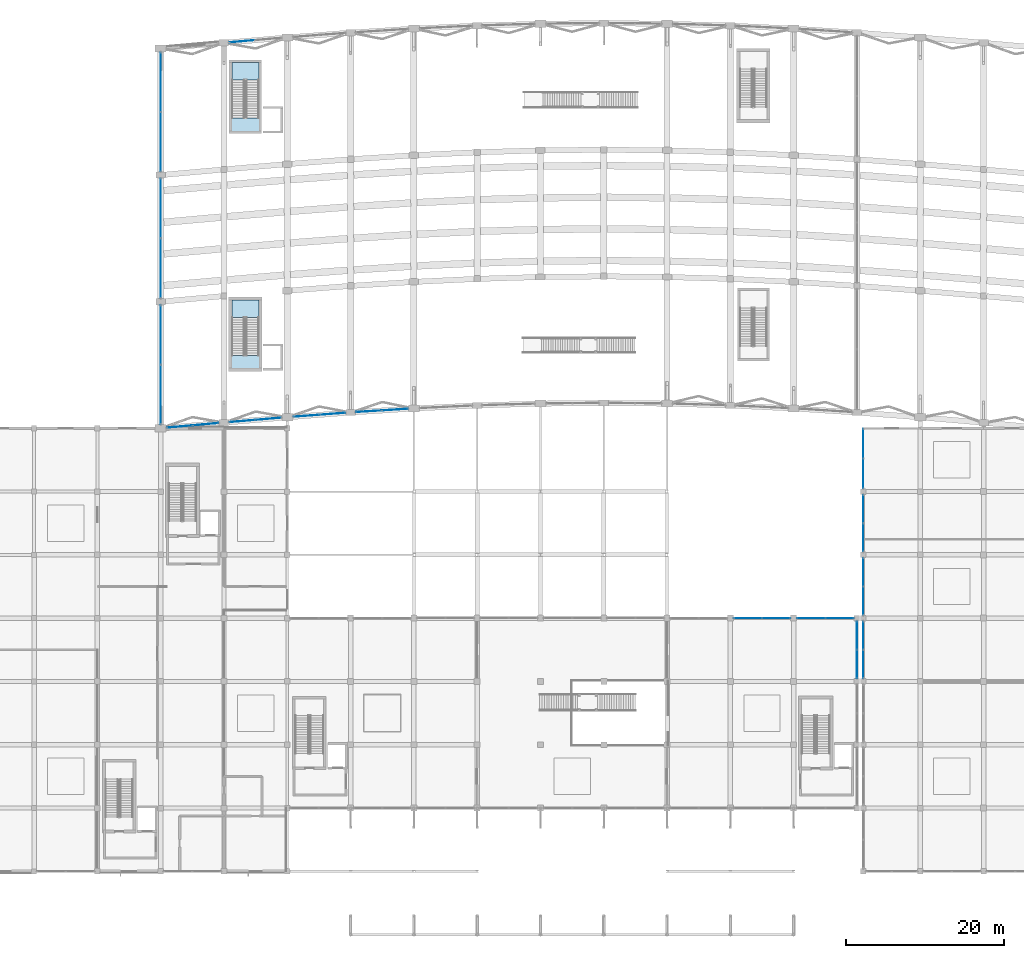
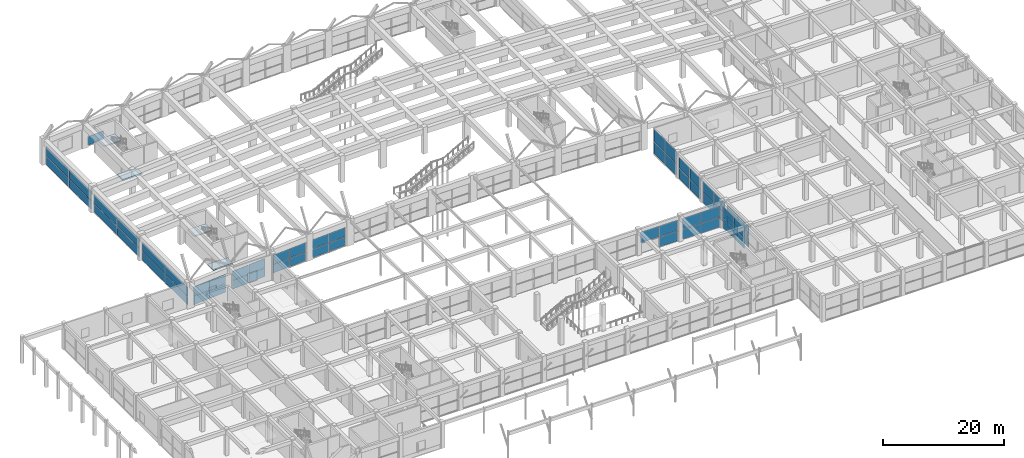
# One storey, part 43 of 69: 56 plates, 4 slabs, 17 elements without a shape of their own.
"""IFC4 building model written with IfcOpenShell, lengths in metres."""

import ifcopenshell
import ifcopenshell.guid

model = None  # the IFC model being written
_history = None  # IfcOwnerHistory: only IFC2X3 demands one
_inside = {}  # id of a spatial element -> (the spatial element, [elements in it])
_under = {}  # id of a project, library or spatial element -> (it, [spatial elements below it])
_declared = {}  # id of a project -> (the project, [libraries it declares])
_typed = {}  # id of a type object -> (the type object, [elements of that type])
_made_of = {}  # id of a material, layer set ... -> (it, [elements and type objects made of it])


def new_model(schema):
    """Start an empty IFC model of exactly this schema.

    Asked for "IFC4X3", IfcOpenShell would pick the latest addendum, in which some entities
    have other attributes; the version numbers below select the first issue.
    IFC2X3 requires an IfcOwnerHistory on every rooted entity: one is made here for all.
    """
    global model, _history
    if schema == "IFC4X3":
        model = ifcopenshell.file(schema_version=(4, 3, 0, 0))
    else:
        model = ifcopenshell.file(schema=schema)
    _inside.clear()
    _under.clear()
    _declared.clear()
    _typed.clear()
    _made_of.clear()
    _history = None
    if model.schema == "IFC2X3":
        org = make("IfcOrganization", Name="unknown")
        user = make(
            "IfcPersonAndOrganization",
            ThePerson=make("IfcPerson", FamilyName="unknown"),
            TheOrganization=org,
        )
        app = make(
            "IfcApplication",
            ApplicationDeveloper=org,
            Version="unknown",
            ApplicationFullName="unknown",
            ApplicationIdentifier="unknown",
        )
        _history = make(
            "IfcOwnerHistory",
            OwningUser=user,
            OwningApplication=app,
            ChangeAction="ADDED",
            CreationDate=0,
        )
    return model


def make(cls, **values):
    """One entity of the class cls with the attributes given. An attribute that is None is left unset."""
    return model.create_entity(
        cls, **{name: value for name, value in values.items() if value is not None}
    )


def rooted(cls, **values):
    """An entity with a GlobalId (a new one), such as an element, a storey or a relation."""
    return make(cls, GlobalId=ifcopenshell.guid.new(), OwnerHistory=_history, **values)


def si_unit(unit_type, name, prefix=None):
    """IfcSIUnit, for example si_unit("LENGTHUNIT", "METRE", prefix="MILLI")."""
    return make("IfcSIUnit", UnitType=unit_type, Prefix=prefix, Name=name)


def assignment(units):
    """IfcUnitAssignment: the units of a project."""
    return None if units is None else make("IfcUnitAssignment", Units=units)


def point(xyz):
    """IfcCartesianPoint."""
    return None if xyz is None else make("IfcCartesianPoint", Coordinates=xyz)


def direction(xyz):
    """IfcDirection."""
    return None if xyz is None else make("IfcDirection", DirectionRatios=xyz)


def frame(location, z_axis=None, x_axis=None):
    """IfcAxis2Placement3D, a coordinate frame: its origin and axes. An axis left out is left unset."""
    return make(
        "IfcAxis2Placement3D",
        Location=point(location),
        Axis=direction(z_axis),
        RefDirection=direction(x_axis),
    )


def frame_2d(location, x_axis=None):
    """IfcAxis2Placement2D, a coordinate frame in the plane: its origin and x axis."""
    return make(
        "IfcAxis2Placement2D", Location=point(location), RefDirection=direction(x_axis)
    )


def origin():
    """The frame at (0, 0, 0) with its axes left unset."""
    return frame((0.0, 0.0, 0.0))


def origin_2d():
    """The frame at (0, 0) in the plane with its x axis left unset."""
    return frame_2d((0.0, 0.0))


def place(relative_to, where):
    """IfcLocalPlacement: puts the frame where relative to a parent placement (None: the world)."""
    return make(
        "IfcLocalPlacement", PlacementRelTo=relative_to, RelativePlacement=where
    )


def context(
    kind, dimensions, precision=None, world=None, true_north=None, identifier=None
):
    """IfcGeometricRepresentationContext, for example the 3D "Model" context."""
    return make(
        "IfcGeometricRepresentationContext",
        ContextIdentifier=identifier,
        ContextType=kind,
        CoordinateSpaceDimension=dimensions,
        Precision=precision,
        WorldCoordinateSystem=world,
        TrueNorth=true_north,
    )


def subcontext(parent, identifier, kind, view, scale=None):
    """IfcGeometricRepresentationSubContext, for example "Body" below "Model"."""
    return make(
        "IfcGeometricRepresentationSubContext",
        ContextIdentifier=identifier,
        ContextType=kind,
        ParentContext=parent,
        TargetScale=scale,
        TargetView=view,
    )


def project(units=None, contexts=None):
    """IfcProject with its units and contexts."""
    return rooted(
        "IfcProject",
        Name="project",
        RepresentationContexts=contexts,
        UnitsInContext=assignment(units),
    )


def spatial(cls, under=None, at=None, **own):
    """A site, building, storey or space (cls), placed at a placement, below another one or the project."""
    s = rooted(cls, ObjectPlacement=at, **own)
    if under is not None:
        _under.setdefault(under.id(), (under, []))[1].append(s)
    return s


def polyline(points):
    """IfcPolyline through the points."""
    return make("IfcPolyline", Points=[point(p) for p in points])


def profile(cls, at=None, kind="AREA", **sizes):
    """A parametric profile (cls). Its sizes go by their IFC names, for example OverallWidth=200.0."""
    return make(cls, ProfileType=kind, Position=at, **sizes)


def rectangle(**sizes):
    """IfcRectangleProfileDef."""
    return profile("IfcRectangleProfileDef", **sizes)


def outline(outer, holes=None, kind="AREA"):
    """IfcArbitraryClosedProfileDef: a profile drawn as a closed curve; with holes, ...WithVoids."""
    if holes is None:
        return make("IfcArbitraryClosedProfileDef", ProfileType=kind, OuterCurve=outer)
    return make(
        "IfcArbitraryProfileDefWithVoids",
        ProfileType=kind,
        OuterCurve=outer,
        InnerCurves=holes,
    )


def extrude(swept, where, along, depth):
    """IfcExtrudedAreaSolid: the profile swept, set in the frame where, extruded along a direction by depth."""
    return make(
        "IfcExtrudedAreaSolid",
        SweptArea=swept,
        Position=where,
        ExtrudedDirection=direction(along),
        Depth=depth,
    )


def shape(context_of_items, identifier, shape_type, items):
    """IfcShapeRepresentation: the items that make up one representation, for example the "Body"."""
    return make(
        "IfcShapeRepresentation",
        ContextOfItems=context_of_items,
        RepresentationIdentifier=identifier,
        RepresentationType=shape_type,
        Items=items,
    )


def material(Name=None, Category=None):
    """IfcMaterial."""
    return make("IfcMaterial", Name=Name, Category=Category)


def layer(
    of_material, thickness, ventilated=None, Name=None, Category=None, Priority=None
):
    """IfcMaterialLayer: one layer of a wall or slab, of a material (None: an air gap)."""
    return make(
        "IfcMaterialLayer",
        Material=of_material,
        LayerThickness=thickness,
        IsVentilated=ventilated,
        Name=Name,
        Category=Category,
        Priority=Priority,
    )


def layer_set(layers, Name=None):
    """IfcMaterialLayerSet."""
    return make("IfcMaterialLayerSet", MaterialLayers=layers, LayerSetName=Name)


def made_of(thing, what):
    """Note that an element or type object is made of a material, layer set ...; save() writes the relation."""
    if what is not None:
        _made_of.setdefault(what.id(), (what, []))[1].append(thing)
    return thing


def type_object(cls, material=None, **own):
    """A type object (cls), such as IfcWallType, which elements share."""
    return made_of(rooted(cls, **own), material)


def element(
    cls,
    number,
    at=None,
    inside=None,
    cuts=None,
    type_object=None,
    material=None,
    context=None,
    identifier="Body",
    shape_type=None,
    held_by="IfcProductDefinitionShape",
    body=None,
    shapes=None,
    **own,
):
    """One element of the class cls, such as IfcWall. Its Tag is "e" and its number.

    at: its placement. inside: the storey or other place that contains it. cuts: it is an
    opening in that element (IfcRelVoidsElement). A single representation is given by context,
    identifier, shape_type and body (its items); several are given by shapes. held_by: the class
    of the entity that holds the representations. save() writes the other relations.
    """
    e = rooted(cls, Tag="e%d" % number, ObjectPlacement=at, **own)
    if body is not None:
        shapes = [shape(context, identifier, shape_type, body)]
    if shapes is not None:
        e.Representation = make(held_by, Representations=shapes)
    if inside is not None:
        _inside.setdefault(inside.id(), (inside, []))[1].append(e)
    if cuts is not None:
        rooted(
            "IfcRelVoidsElement", RelatingBuildingElement=cuts, RelatedOpeningElement=e
        )
    if type_object is not None:
        _typed.setdefault(type_object.id(), (type_object, []))[1].append(e)
    return made_of(e, material)


def aggregate(whole, parts):
    """IfcRelAggregates: a whole, such as a stair, and the parts it consists of."""
    return rooted("IfcRelAggregates", RelatingObject=whole, RelatedObjects=parts)


def save(model, path):
    """Write the relations noted so far, then the file.

    IfcRelAggregates (storeys below a building ...), IfcRelContainedInSpatialStructure (elements
    in a storey), IfcRelDefinesByType, IfcRelAssociatesMaterial and IfcRelDeclares: one each for
    every whole, place, type object, material and project.
    """
    for whole, parts in _under.values():
        aggregate(whole, parts)
    for where, things in _inside.values():
        rooted(
            "IfcRelContainedInSpatialStructure",
            RelatedElements=things,
            RelatingStructure=where,
        )
    for kind, things in _typed.values():
        rooted("IfcRelDefinesByType", RelatedObjects=things, RelatingType=kind)
    for what, things in _made_of.values():
        rooted("IfcRelAssociatesMaterial", RelatedObjects=things, RelatingMaterial=what)
    for by, libraries in _declared.values():
        rooted("IfcRelDeclares", RelatingContext=by, RelatedDefinitions=libraries)
    model.write(path)


model = new_model("IFC4")

# Units and contexts
model_context = context("Model", 3, precision=1e-05, world=origin(), true_north=direction((0.0, 1.0)))
body_context = subcontext(model_context, "Body", "Model", "MODEL_VIEW")
ifc_project = project(units=[si_unit("LENGTHUNIT", "METRE"), si_unit("AREAUNIT", "SQUARE_METRE"), si_unit("VOLUMEUNIT", "CUBIC_METRE"), si_unit("PLANEANGLEUNIT", "RADIAN"), si_unit("MASSUNIT", "GRAM", prefix="KILO")], contexts=[model_context])

# Site, building, storey
site_placement = place(None, origin())
site = spatial("IfcSite", under=ifc_project, at=site_placement, CompositionType="ELEMENT")
building_placement = place(site_placement, origin())
building = spatial("IfcBuilding", under=site, at=building_placement, Name="Kenh Van Central Station", CompositionType="ELEMENT")
storey_placement = place(building_placement, frame((0.0, 0.0, 5.39990234375)))
storey = spatial("IfcBuildingStorey", under=building, at=storey_placement, Name="L01", CompositionType="ELEMENT", Elevation=5.39990234375)

# Curtain wall, plates
ifc_material_1 = material(Name="Champagne anodised aluminium", Category="aluminium")
curtain_wall_type_1 = type_object("IfcCurtainWallType", Name="CW-CONC-B", PredefinedType="NOTDEFINED", material=ifc_material_1)
curtain_wall_1_placement = place(storey_placement, origin())
curtain_wall_1 = element("IfcCurtainWall", 1, at=curtain_wall_1_placement, inside=storey, type_object=curtain_wall_type_1, Name="L01 curtain wall 112", PredefinedType="NOTDEFINED")
ifc_material_2 = material(Name="Double-glazed low-E laminated solar glass", Category="glass")
ifc_layer_1 = layer(ifc_material_2, 0.028076171875, Name="Double-glazed low-E laminated solar glass")
ifc_layer_set_1 = layer_set([ifc_layer_1], Name="Double-glazed low-E laminated solar glass")
plate_type_1 = type_object("IfcPlateType", Name="CWP-IGU-28", PredefinedType="CURTAIN_PANEL", material=ifc_layer_set_1)
plate_1_placement = place(storey_placement, frame((117.810791015625, 40.0, 0.072265625), z_axis=(0.0, 0.0, 1.0), x_axis=(-1.0, 0.0, 0.0)))
plate_1 = element("IfcPlate", 2, at=plate_1_placement, type_object=plate_type_1, Name="CW-04 panel 1.1", PredefinedType="CURTAIN_PANEL", context=body_context, shape_type="SweptSolid", body=[
    extrude(rectangle(XDim=3.514404296875, YDim=0.028076171875, at=origin_2d()), origin(), (0.0, 0.0, 1.0), 2.018310546875),
])
plate_2_placement = place(storey_placement, frame((117.810791015625, 40.0, 2.16259765625), z_axis=(0.0, 0.0, 1.0), x_axis=(-1.0, 0.0, 0.0)))
plate_2 = element("IfcPlate", 3, at=plate_2_placement, type_object=plate_type_1, Name="CW-04 panel 1.2", PredefinedType="CURTAIN_PANEL", context=body_context, shape_type="SweptSolid", body=[
    extrude(rectangle(XDim=3.514404296875, YDim=0.028076171875, at=origin_2d()), origin(), (0.0, 0.0, 1.0), 2.195556640625),
])
plate_3_placement = place(storey_placement, frame((114.21435546875, 40.0, 0.072265625), z_axis=(0.0, 0.0, 1.0), x_axis=(-1.0, 0.0, 0.0)))
plate_3 = element("IfcPlate", 4, at=plate_3_placement, type_object=plate_type_1, Name="CW-04 panel 2.1", PredefinedType="CURTAIN_PANEL", context=body_context, shape_type="SweptSolid", body=[
    extrude(rectangle(XDim=3.514404296875, YDim=0.028076171875, at=origin_2d()), origin(), (0.0, 0.0, 1.0), 2.018310546875),
])
plate_4_placement = place(storey_placement, frame((114.21435546875, 40.0, 2.16259765625), z_axis=(0.0, 0.0, 1.0), x_axis=(-1.0, 0.0, 0.0)))
plate_4 = element("IfcPlate", 5, at=plate_4_placement, type_object=plate_type_1, Name="CW-04 panel 2.2", PredefinedType="CURTAIN_PANEL", context=body_context, shape_type="SweptSolid", body=[
    extrude(rectangle(XDim=3.514404296875, YDim=0.028076171875, at=origin_2d()), origin(), (0.0, 0.0, 1.0), 2.195556640625),
])
aggregate(curtain_wall_1, [plate_1, plate_2, plate_3, plate_4])

curtain_wall_2_placement = place(storey_placement, origin())
curtain_wall_2 = element("IfcCurtainWall", 6, at=curtain_wall_2_placement, inside=storey, type_object=curtain_wall_type_1, Name="L01 curtain wall 113", PredefinedType="NOTDEFINED")
plate_5_placement = place(storey_placement, frame((109.7919921875, 40.0, 0.072265625), z_axis=(0.0, 0.0, 1.0), x_axis=(-1.0, 0.0, 0.0)))
plate_5 = element("IfcPlate", 7, at=plate_5_placement, type_object=plate_type_1, Name="CW-04 panel 1.1", PredefinedType="CURTAIN_PANEL", context=body_context, shape_type="SweptSolid", body=[
    extrude(rectangle(XDim=3.501953125, YDim=0.028076171875, at=origin_2d()), origin(), (0.0, 0.0, 1.0), 2.018310546875),
])
plate_6_placement = place(storey_placement, frame((109.7919921875, 40.0, 2.16259765625), z_axis=(0.0, 0.0, 1.0), x_axis=(-1.0, 0.0, 0.0)))
plate_6 = element("IfcPlate", 8, at=plate_6_placement, type_object=plate_type_1, Name="CW-04 panel 1.2", PredefinedType="CURTAIN_PANEL", context=body_context, shape_type="SweptSolid", body=[
    extrude(rectangle(XDim=3.501953125, YDim=0.028076171875, at=origin_2d()), origin(), (0.0, 0.0, 1.0), 2.195556640625),
])
plate_7_placement = place(storey_placement, frame((106.2080078125, 40.0, 2.16259765625), z_axis=(0.0, 0.0, 1.0), x_axis=(-1.0, 0.0, 0.0)))
plate_7 = element("IfcPlate", 9, at=plate_7_placement, type_object=plate_type_1, Name="CW-04 panel 2.2", PredefinedType="CURTAIN_PANEL", context=body_context, shape_type="SweptSolid", body=[
    extrude(rectangle(XDim=3.501953125, YDim=0.028076171875, at=origin_2d()), origin(), (0.0, 0.0, 1.0), 2.195556640625),
])
aggregate(curtain_wall_2, [plate_5, plate_6, plate_7])

curtain_wall_3_placement = place(storey_placement, origin())
curtain_wall_3 = element("IfcCurtainWall", 10, at=curtain_wall_3_placement, inside=storey, type_object=curtain_wall_type_1, Name="L01 curtain wall 123", PredefinedType="NOTDEFINED")
plate_8_placement = place(storey_placement, frame((120.0, 34.195556640625, 0.072021484375), z_axis=(0.0, 0.0, 1.0), x_axis=(0.0, 1.0, 0.0)))
plate_8 = element("IfcPlate", 11, at=plate_8_placement, type_object=plate_type_1, Name="CW-04 panel 1.1", PredefinedType="CURTAIN_PANEL", context=body_context, shape_type="SweptSolid", body=[
    extrude(rectangle(XDim=3.527099609375, YDim=0.028076171875, at=origin_2d()), origin(), (0.0, 0.0, 1.0), 2.04248046875),
])
plate_9_placement = place(storey_placement, frame((120.0, 34.195556640625, 2.1865234375), z_axis=(0.0, 0.0, 1.0), x_axis=(0.0, 1.0, 0.0)))
plate_9 = element("IfcPlate", 12, at=plate_9_placement, type_object=plate_type_1, Name="CW-04 panel 1.2", PredefinedType="CURTAIN_PANEL", context=body_context, shape_type="SweptSolid", body=[
    extrude(rectangle(XDim=3.527099609375, YDim=0.028076171875, at=origin_2d()), origin(), (0.0, 0.0, 1.0), 2.2216796875),
])
plate_10_placement = place(storey_placement, frame((120.0, 37.804443359375, 0.072021484375), z_axis=(0.0, 0.0, 1.0), x_axis=(0.0, 1.0, 0.0)))
plate_10 = element("IfcPlate", 13, at=plate_10_placement, type_object=plate_type_1, Name="CW-04 panel 2.1", PredefinedType="CURTAIN_PANEL", context=body_context, shape_type="SweptSolid", body=[
    extrude(rectangle(XDim=3.527099609375, YDim=0.028076171875, at=origin_2d()), origin(), (0.0, 0.0, 1.0), 2.04248046875),
])
plate_11_placement = place(storey_placement, frame((120.0, 37.804443359375, 2.1865234375), z_axis=(0.0, 0.0, 1.0), x_axis=(0.0, 1.0, 0.0)))
plate_11 = element("IfcPlate", 14, at=plate_11_placement, type_object=plate_type_1, Name="CW-04 panel 2.2", PredefinedType="CURTAIN_PANEL", context=body_context, shape_type="SweptSolid", body=[
    extrude(rectangle(XDim=3.527099609375, YDim=0.028076171875, at=origin_2d()), origin(), (0.0, 0.0, 1.0), 2.2216796875),
])
aggregate(curtain_wall_3, [plate_8, plate_9, plate_10, plate_11])

curtain_wall_type_2 = type_object("IfcCurtainWallType", Name="CW-OPER-B", PredefinedType="NOTDEFINED", material=ifc_material_1)
curtain_wall_4_placement = place(storey_placement, origin())
curtain_wall_4 = element("IfcCurtainWall", 15, at=curtain_wall_4_placement, inside=storey, type_object=curtain_wall_type_2, Name="L01 curtain wall 152", PredefinedType="NOTDEFINED")
ifc_layer_2 = layer(ifc_material_2, 0.030029296875, Name="Double-glazed low-E laminated solar glass")
ifc_layer_set_2 = layer_set([ifc_layer_2], Name="Double-glazed low-E laminated solar glass")
plate_type_2 = type_object("IfcPlateType", Name="CWP-IGU-30", PredefinedType="CURTAIN_PANEL", material=ifc_layer_set_2)
plate_12_placement = place(storey_placement, frame((120.800048828125, 62.0654296875, 0.072021484375), z_axis=(0.0, 0.0, 1.0), x_axis=(0.0, -1.0, 0.0)))
plate_12 = element("IfcPlate", 16, at=plate_12_placement, type_object=plate_type_2, Name="CW-08 panel 1.1", PredefinedType="CURTAIN_PANEL", context=body_context, shape_type="SweptSolid", body=[
    extrude(rectangle(XDim=3.693115234375, YDim=0.030029296875, at=origin_2d()), origin(), (0.0, 0.0, 1.0), 2.349609375),
])
plate_13_placement = place(storey_placement, frame((120.800048828125, 62.0654296875, 2.49365234375), z_axis=(0.0, 0.0, 1.0), x_axis=(0.0, -1.0, 0.0)))
plate_13 = element("IfcPlate", 17, at=plate_13_placement, type_object=plate_type_2, Name="CW-08 panel 1.2", PredefinedType="CURTAIN_PANEL", context=body_context, shape_type="SweptSolid", body=[
    extrude(rectangle(XDim=3.693115234375, YDim=0.030029296875, at=origin_2d()), origin(), (0.0, 0.0, 1.0), 2.554443359375),
])
plate_14_placement = place(storey_placement, frame((120.800048828125, 58.284423828125, 0.072021484375), z_axis=(0.0, 0.0, 1.0), x_axis=(0.0, -1.0, 0.0)))
plate_14 = element("IfcPlate", 18, at=plate_14_placement, type_object=plate_type_2, Name="CW-08 panel 2.1", PredefinedType="CURTAIN_PANEL", context=body_context, shape_type="SweptSolid", body=[
    extrude(rectangle(XDim=3.693115234375, YDim=0.030029296875, at=origin_2d()), origin(), (0.0, 0.0, 1.0), 2.349609375),
])
plate_15_placement = place(storey_placement, frame((120.800048828125, 58.284423828125, 2.49365234375), z_axis=(0.0, 0.0, 1.0), x_axis=(0.0, -1.0, 0.0)))
plate_15 = element("IfcPlate", 19, at=plate_15_placement, type_object=plate_type_2, Name="CW-08 panel 2.2", PredefinedType="CURTAIN_PANEL", context=body_context, shape_type="SweptSolid", body=[
    extrude(rectangle(XDim=3.693115234375, YDim=0.030029296875, at=origin_2d()), origin(), (0.0, 0.0, 1.0), 2.554443359375),
])
aggregate(curtain_wall_4, [plate_12, plate_13, plate_14, plate_15])

curtain_wall_5_placement = place(storey_placement, origin())
curtain_wall_5 = element("IfcCurtainWall", 20, at=curtain_wall_5_placement, inside=storey, type_object=curtain_wall_type_2, Name="L01 curtain wall 153", PredefinedType="NOTDEFINED")
plate_16_placement = place(storey_placement, frame((120.800048828125, 53.802978515625, 0.072265625), z_axis=(0.0, 0.0, 1.0), x_axis=(0.0, -1.0, 0.0)))
plate_16 = element("IfcPlate", 21, at=plate_16_placement, type_object=plate_type_2, Name="CW-08 panel 1.1", PredefinedType="CURTAIN_PANEL", context=body_context, shape_type="SweptSolid", body=[
    extrude(rectangle(XDim=3.51806640625, YDim=0.030029296875, at=origin_2d()), origin(), (0.0, 0.0, 1.0), 2.023193359375),
])
plate_17_placement = place(storey_placement, frame((120.800048828125, 53.802978515625, 2.167236328125), z_axis=(0.0, 0.0, 1.0), x_axis=(0.0, -1.0, 0.0)))
plate_17 = element("IfcPlate", 22, at=plate_17_placement, type_object=plate_type_2, Name="CW-08 panel 1.2", PredefinedType="CURTAIN_PANEL", context=body_context, shape_type="SweptSolid", body=[
    extrude(rectangle(XDim=3.51806640625, YDim=0.030029296875, at=origin_2d()), origin(), (0.0, 0.0, 1.0), 2.20068359375),
])
plate_18_placement = place(storey_placement, frame((120.800048828125, 50.197021484375, 0.072265625), z_axis=(0.0, 0.0, 1.0), x_axis=(0.0, -1.0, 0.0)))
plate_18 = element("IfcPlate", 23, at=plate_18_placement, type_object=plate_type_2, Name="CW-08 panel 2.1", PredefinedType="CURTAIN_PANEL", context=body_context, shape_type="SweptSolid", body=[
    extrude(rectangle(XDim=3.51806640625, YDim=0.030029296875, at=origin_2d()), origin(), (0.0, 0.0, 1.0), 2.023193359375),
])
plate_19_placement = place(storey_placement, frame((120.800048828125, 50.197021484375, 2.167236328125), z_axis=(0.0, 0.0, 1.0), x_axis=(0.0, -1.0, 0.0)))
plate_19 = element("IfcPlate", 24, at=plate_19_placement, type_object=plate_type_2, Name="CW-08 panel 2.2", PredefinedType="CURTAIN_PANEL", context=body_context, shape_type="SweptSolid", body=[
    extrude(rectangle(XDim=3.51806640625, YDim=0.030029296875, at=origin_2d()), origin(), (0.0, 0.0, 1.0), 2.20068359375),
])
aggregate(curtain_wall_5, [plate_16, plate_17, plate_18, plate_19])

curtain_wall_6_placement = place(storey_placement, origin())
curtain_wall_6 = element("IfcCurtainWall", 25, at=curtain_wall_6_placement, inside=storey, type_object=curtain_wall_type_2, Name="L01 curtain wall 154", PredefinedType="NOTDEFINED")
plate_20_placement = place(storey_placement, frame((120.800048828125, 45.802978515625, 0.072265625), z_axis=(0.0, 0.0, 1.0), x_axis=(0.0, -1.0, 0.0)))
plate_20 = element("IfcPlate", 26, at=plate_20_placement, type_object=plate_type_2, Name="CW-08 panel 1.1", PredefinedType="CURTAIN_PANEL", context=body_context, shape_type="SweptSolid", body=[
    extrude(rectangle(XDim=3.51806640625, YDim=0.030029296875, at=origin_2d()), origin(), (0.0, 0.0, 1.0), 2.023193359375),
])
plate_21_placement = place(storey_placement, frame((120.800048828125, 45.802978515625, 2.167236328125), z_axis=(0.0, 0.0, 1.0), x_axis=(0.0, -1.0, 0.0)))
plate_21 = element("IfcPlate", 27, at=plate_21_placement, type_object=plate_type_2, Name="CW-08 panel 1.2", PredefinedType="CURTAIN_PANEL", context=body_context, shape_type="SweptSolid", body=[
    extrude(rectangle(XDim=3.51806640625, YDim=0.030029296875, at=origin_2d()), origin(), (0.0, 0.0, 1.0), 2.20068359375),
])
plate_22_placement = place(storey_placement, frame((120.800048828125, 42.197021484375, 0.072265625), z_axis=(0.0, 0.0, 1.0), x_axis=(0.0, -1.0, 0.0)))
plate_22 = element("IfcPlate", 28, at=plate_22_placement, type_object=plate_type_2, Name="CW-08 panel 2.1", PredefinedType="CURTAIN_PANEL", context=body_context, shape_type="SweptSolid", body=[
    extrude(rectangle(XDim=3.51806640625, YDim=0.030029296875, at=origin_2d()), origin(), (0.0, 0.0, 1.0), 2.023193359375),
])
plate_23_placement = place(storey_placement, frame((120.800048828125, 42.197021484375, 2.167236328125), z_axis=(0.0, 0.0, 1.0), x_axis=(0.0, -1.0, 0.0)))
plate_23 = element("IfcPlate", 29, at=plate_23_placement, type_object=plate_type_2, Name="CW-08 panel 2.2", PredefinedType="CURTAIN_PANEL", context=body_context, shape_type="SweptSolid", body=[
    extrude(rectangle(XDim=3.51806640625, YDim=0.030029296875, at=origin_2d()), origin(), (0.0, 0.0, 1.0), 2.20068359375),
])
aggregate(curtain_wall_6, [plate_20, plate_21, plate_22, plate_23])

curtain_wall_7_placement = place(storey_placement, origin())
curtain_wall_7 = element("IfcCurtainWall", 30, at=curtain_wall_7_placement, inside=storey, type_object=curtain_wall_type_2, Name="L01 curtain wall 155", PredefinedType="NOTDEFINED")
plate_24_placement = place(storey_placement, frame((120.800048828125, 37.802978515625, 0.072265625), z_axis=(0.0, 0.0, 1.0), x_axis=(0.0, -1.0, 0.0)))
plate_24 = element("IfcPlate", 31, at=plate_24_placement, type_object=plate_type_2, Name="CW-08 panel 1.1", PredefinedType="CURTAIN_PANEL", context=body_context, shape_type="SweptSolid", body=[
    extrude(rectangle(XDim=3.51806640625, YDim=0.030029296875, at=origin_2d()), origin(), (0.0, 0.0, 1.0), 2.023193359375),
])
plate_25_placement = place(storey_placement, frame((120.800048828125, 37.802978515625, 2.167236328125), z_axis=(0.0, 0.0, 1.0), x_axis=(0.0, -1.0, 0.0)))
plate_25 = element("IfcPlate", 32, at=plate_25_placement, type_object=plate_type_2, Name="CW-08 panel 1.2", PredefinedType="CURTAIN_PANEL", context=body_context, shape_type="SweptSolid", body=[
    extrude(rectangle(XDim=3.51806640625, YDim=0.030029296875, at=origin_2d()), origin(), (0.0, 0.0, 1.0), 2.20068359375),
])
plate_26_placement = place(storey_placement, frame((120.800048828125, 34.197021484375, 0.072265625), z_axis=(0.0, 0.0, 1.0), x_axis=(0.0, -1.0, 0.0)))
plate_26 = element("IfcPlate", 33, at=plate_26_placement, type_object=plate_type_2, Name="CW-08 panel 2.1", PredefinedType="CURTAIN_PANEL", context=body_context, shape_type="SweptSolid", body=[
    extrude(rectangle(XDim=3.51806640625, YDim=0.030029296875, at=origin_2d()), origin(), (0.0, 0.0, 1.0), 2.023193359375),
])
plate_27_placement = place(storey_placement, frame((120.800048828125, 34.197021484375, 2.167236328125), z_axis=(0.0, 0.0, 1.0), x_axis=(0.0, -1.0, 0.0)))
plate_27 = element("IfcPlate", 34, at=plate_27_placement, type_object=plate_type_2, Name="CW-08 panel 2.2", PredefinedType="CURTAIN_PANEL", context=body_context, shape_type="SweptSolid", body=[
    extrude(rectangle(XDim=3.51806640625, YDim=0.030029296875, at=origin_2d()), origin(), (0.0, 0.0, 1.0), 2.20068359375),
])
aggregate(curtain_wall_7, [plate_24, plate_25, plate_26, plate_27])

curtain_wall_type_3 = type_object("IfcCurtainWallType", Name="CW-HALL-A", PredefinedType="NOTDEFINED", material=ifc_material_1)
curtain_wall_8_placement = place(storey_placement, origin())
curtain_wall_8 = element("IfcCurtainWall", 35, at=curtain_wall_8_placement, inside=storey, type_object=curtain_wall_type_3, Name="L01 curtain wall 097", PredefinedType="NOTDEFINED")
ifc_layer_3 = layer(ifc_material_2, 0.031982421875, Name="Double-glazed low-E laminated solar glass")
ifc_layer_set_3 = layer_set([ifc_layer_3], Name="Double-glazed low-E laminated solar glass")
plate_type_3 = type_object("IfcPlateType", Name="CWP-IGU-32", PredefinedType="CURTAIN_PANEL", material=ifc_layer_set_3)
plate_28_placement = place(storey_placement, frame((32.0, 68.258056640625, 0.0703125), z_axis=(0.0, 0.0, 1.0), x_axis=(0.0, 1.0, 0.0)))
plate_28 = element("IfcPlate", 36, at=plate_28_placement, type_object=plate_type_3, Name="CW-01 panel 1.1", PredefinedType="CURTAIN_PANEL", context=body_context, shape_type="SweptSolid", body=[
    extrude(rectangle(XDim=7.451904296875, YDim=0.031982421875, at=origin_2d()), origin(), (0.0, 0.0, 1.0), 1.718994140625),
])
plate_29_placement = place(storey_placement, frame((32.0, 68.258056640625, 1.859130859375), z_axis=(0.0, 0.0, 1.0), x_axis=(0.0, 1.0, 0.0)))
plate_29 = element("IfcPlate", 37, at=plate_29_placement, type_object=plate_type_3, Name="CW-01 panel 1.2", PredefinedType="CURTAIN_PANEL", context=body_context, shape_type="SweptSolid", body=[
    extrude(rectangle(XDim=7.451904296875, YDim=0.031982421875, at=origin_2d()), origin(), (0.0, 0.0, 1.0), 1.87109375),
])
plate_30_placement = place(storey_placement, frame((32.0, 75.7919921875, 0.0703125), z_axis=(0.0, 0.0, 1.0), x_axis=(0.0, 1.0, 0.0)))
plate_30 = element("IfcPlate", 38, at=plate_30_placement, type_object=plate_type_3, Name="CW-01 panel 2.1", PredefinedType="CURTAIN_PANEL", context=body_context, shape_type="SweptSolid", body=[
    extrude(rectangle(XDim=7.451904296875, YDim=0.031982421875, at=origin_2d()), origin(), (0.0, 0.0, 1.0), 1.718994140625),
])
plate_31_placement = place(storey_placement, frame((32.0, 75.7919921875, 1.859130859375), z_axis=(0.0, 0.0, 1.0), x_axis=(0.0, 1.0, 0.0)))
plate_31 = element("IfcPlate", 39, at=plate_31_placement, type_object=plate_type_3, Name="CW-01 panel 2.2", PredefinedType="CURTAIN_PANEL", context=body_context, shape_type="SweptSolid", body=[
    extrude(rectangle(XDim=7.451904296875, YDim=0.031982421875, at=origin_2d()), origin(), (0.0, 0.0, 1.0), 1.87109375),
])
aggregate(curtain_wall_8, [plate_28, plate_29, plate_30, plate_31])

curtain_wall_9_placement = place(storey_placement, origin())
curtain_wall_9 = element("IfcCurtainWall", 40, at=curtain_wall_9_placement, inside=storey, type_object=curtain_wall_type_3, Name="L01 curtain wall 098", PredefinedType="NOTDEFINED")
plate_32_placement = place(storey_placement, frame((32.0, 84.220458984375, 0.0703125), z_axis=(0.0, 0.0, 1.0), x_axis=(0.0, 1.0, 0.0)))
plate_32 = element("IfcPlate", 41, at=plate_32_placement, type_object=plate_type_3, Name="CW-01 panel 1.1", PredefinedType="CURTAIN_PANEL", context=body_context, shape_type="SweptSolid", body=[
    extrude(rectangle(XDim=7.47705078125, YDim=0.031982421875, at=origin_2d()), origin(), (0.0, 0.0, 1.0), 1.718994140625),
])
plate_33_placement = place(storey_placement, frame((32.0, 84.220458984375, 1.859130859375), z_axis=(0.0, 0.0, 1.0), x_axis=(0.0, 1.0, 0.0)))
plate_33 = element("IfcPlate", 42, at=plate_33_placement, type_object=plate_type_3, Name="CW-01 panel 1.2", PredefinedType="CURTAIN_PANEL", context=body_context, shape_type="SweptSolid", body=[
    extrude(rectangle(XDim=7.47705078125, YDim=0.031982421875, at=origin_2d()), origin(), (0.0, 0.0, 1.0), 1.87109375),
])
plate_34_placement = place(storey_placement, frame((32.0, 91.779541015625, 0.0703125), z_axis=(0.0, 0.0, 1.0), x_axis=(0.0, 1.0, 0.0)))
plate_34 = element("IfcPlate", 43, at=plate_34_placement, type_object=plate_type_3, Name="CW-01 panel 2.1", PredefinedType="CURTAIN_PANEL", context=body_context, shape_type="SweptSolid", body=[
    extrude(rectangle(XDim=7.47705078125, YDim=0.031982421875, at=origin_2d()), origin(), (0.0, 0.0, 1.0), 1.718994140625),
])
plate_35_placement = place(storey_placement, frame((32.0, 91.779541015625, 1.859130859375), z_axis=(0.0, 0.0, 1.0), x_axis=(0.0, 1.0, 0.0)))
plate_35 = element("IfcPlate", 44, at=plate_35_placement, type_object=plate_type_3, Name="CW-01 panel 2.2", PredefinedType="CURTAIN_PANEL", context=body_context, shape_type="SweptSolid", body=[
    extrude(rectangle(XDim=7.47705078125, YDim=0.031982421875, at=origin_2d()), origin(), (0.0, 0.0, 1.0), 1.87109375),
])
aggregate(curtain_wall_9, [plate_32, plate_33, plate_34, plate_35])

curtain_wall_10_placement = place(storey_placement, origin())
curtain_wall_10 = element("IfcCurtainWall", 45, at=curtain_wall_10_placement, inside=storey, type_object=curtain_wall_type_3, Name="L01 curtain wall 099", PredefinedType="NOTDEFINED")
plate_36_placement = place(storey_placement, frame((32.0, 100.2080078125, 0.0703125), z_axis=(0.0, 0.0, 1.0), x_axis=(0.0, 1.0, 0.0)))
plate_36 = element("IfcPlate", 46, at=plate_36_placement, type_object=plate_type_3, Name="CW-01 panel 1.1", PredefinedType="CURTAIN_PANEL", context=body_context, shape_type="SweptSolid", body=[
    extrude(rectangle(XDim=7.451904296875, YDim=0.031982421875, at=origin_2d()), origin(), (0.0, 0.0, 1.0), 1.718994140625),
])
plate_37_placement = place(storey_placement, frame((32.0, 100.2080078125, 1.859130859375), z_axis=(0.0, 0.0, 1.0), x_axis=(0.0, 1.0, 0.0)))
plate_37 = element("IfcPlate", 47, at=plate_37_placement, type_object=plate_type_3, Name="CW-01 panel 1.2", PredefinedType="CURTAIN_PANEL", context=body_context, shape_type="SweptSolid", body=[
    extrude(rectangle(XDim=7.451904296875, YDim=0.031982421875, at=origin_2d()), origin(), (0.0, 0.0, 1.0), 1.87109375),
])
plate_38_placement = place(storey_placement, frame((32.0, 107.741943359375, 0.0703125), z_axis=(0.0, 0.0, 1.0), x_axis=(0.0, 1.0, 0.0)))
plate_38 = element("IfcPlate", 48, at=plate_38_placement, type_object=plate_type_3, Name="CW-01 panel 2.1", PredefinedType="CURTAIN_PANEL", context=body_context, shape_type="SweptSolid", body=[
    extrude(rectangle(XDim=7.451904296875, YDim=0.031982421875, at=origin_2d()), origin(), (0.0, 0.0, 1.0), 1.718994140625),
])
plate_39_placement = place(storey_placement, frame((32.0, 107.741943359375, 1.859130859375), z_axis=(0.0, 0.0, 1.0), x_axis=(0.0, 1.0, 0.0)))
plate_39 = element("IfcPlate", 49, at=plate_39_placement, type_object=plate_type_3, Name="CW-01 panel 2.2", PredefinedType="CURTAIN_PANEL", context=body_context, shape_type="SweptSolid", body=[
    extrude(rectangle(XDim=7.451904296875, YDim=0.031982421875, at=origin_2d()), origin(), (0.0, 0.0, 1.0), 1.87109375),
])
aggregate(curtain_wall_10, [plate_36, plate_37, plate_38, plate_39])

# Curtain wall, plate
curtain_wall_type_4 = type_object("IfcCurtainWallType", Name="CW-HALL-B", PredefinedType="NOTDEFINED", material=ifc_material_1)
curtain_wall_11_placement = place(storey_placement, origin())
curtain_wall_11 = element("IfcCurtainWall", 50, at=curtain_wall_11_placement, inside=storey, type_object=curtain_wall_type_4, Name="L01 curtain wall 078", PredefinedType="NOTDEFINED")
ifc_layer_4 = layer(ifc_material_2, 0.033935546875, Name="Double-glazed low-E laminated solar glass")
ifc_layer_set_4 = layer_set([ifc_layer_4], Name="Double-glazed low-E laminated solar glass")
plate_type_4 = type_object("IfcPlateType", Name="CWP-IGU-34", PredefinedType="CURTAIN_PANEL", material=ifc_layer_set_4)
plate_40_placement = place(storey_placement, frame((42.30859375, 112.9072265625, 0.0703125), z_axis=(0.0, 0.0, 1.0), x_axis=(-0.996445133341, -0.084244265333, 0.0)))
plate_40 = element("IfcPlate", 51, at=plate_40_placement, type_object=plate_type_4, Name="CW-02 panel 2.1", PredefinedType="CURTAIN_PANEL", context=body_context, shape_type="SweptSolid", body=[
    extrude(rectangle(XDim=3.210693359375, YDim=0.033935546875, at=origin_2d()), origin(), (0.0, 0.0, 1.0), 1.718994140625),
])
aggregate(curtain_wall_11, [plate_40])

# Curtain wall, plates
curtain_wall_12_placement = place(storey_placement, origin())
curtain_wall_12 = element("IfcCurtainWall", 52, at=curtain_wall_12_placement, inside=storey, type_object=curtain_wall_type_3, Name="L01 curtain wall 076", PredefinedType="NOTDEFINED")
ifc_layer_5 = layer(ifc_material_2, 0.035888671875, Name="Double-glazed low-E laminated solar glass")
ifc_layer_set_5 = layer_set([ifc_layer_5], Name="Double-glazed low-E laminated solar glass")
plate_type_5 = type_object("IfcPlateType", Name="CWP-IGU-36", PredefinedType="CURTAIN_PANEL", material=ifc_layer_set_5)
plate_41_placement = place(storey_placement, frame((34.412841796875, 64.21484375, 0.0703125), z_axis=(0.0, 0.0, 1.0), x_axis=(0.996061983283, 0.088659604434, 0.0)))
plate_41 = element("IfcPlate", 53, at=plate_41_placement, type_object=plate_type_5, Name="CW-01 panel 1.1", PredefinedType="CURTAIN_PANEL", context=body_context, shape_type="SweptSolid", body=[
    extrude(rectangle(XDim=3.210693359375, YDim=0.035888671875, at=origin_2d()), origin(), (0.0, 0.0, 1.0), 1.718994140625),
])
plate_42_placement = place(storey_placement, frame((34.412841796875, 64.21484375, 1.859130859375), z_axis=(0.0, 0.0, 1.0), x_axis=(0.996061983283, 0.088659604434, 0.0)))
plate_42 = element("IfcPlate", 54, at=plate_42_placement, type_object=plate_type_5, Name="CW-01 panel 1.2", PredefinedType="CURTAIN_PANEL", context=body_context, shape_type="SweptSolid", body=[
    extrude(rectangle(XDim=3.210693359375, YDim=0.035888671875, at=origin_2d()), origin(), (0.0, 0.0, 1.0), 1.87109375),
])
plate_43_placement = place(storey_placement, frame((37.690673828125, 64.506591796875, 0.0703125), z_axis=(0.0, 0.0, 1.0), x_axis=(0.996061983283, 0.088659604434, 0.0)))
plate_43 = element("IfcPlate", 55, at=plate_43_placement, type_object=plate_type_5, Name="CW-01 panel 2.1", PredefinedType="CURTAIN_PANEL", context=body_context, shape_type="SweptSolid", body=[
    extrude(rectangle(XDim=3.210693359375, YDim=0.035888671875, at=origin_2d()), origin(), (0.0, 0.0, 1.0), 1.718994140625),
])
plate_44_placement = place(storey_placement, frame((37.690673828125, 64.506591796875, 1.859130859375), z_axis=(0.0, 0.0, 1.0), x_axis=(0.996061983283, 0.088659604434, 0.0)))
plate_44 = element("IfcPlate", 56, at=plate_44_placement, type_object=plate_type_5, Name="CW-01 panel 2.2", PredefinedType="CURTAIN_PANEL", context=body_context, shape_type="SweptSolid", body=[
    extrude(rectangle(XDim=3.210693359375, YDim=0.035888671875, at=origin_2d()), origin(), (0.0, 0.0, 1.0), 1.87109375),
])
aggregate(curtain_wall_12, [plate_41, plate_42, plate_43, plate_44])

curtain_wall_13_placement = place(storey_placement, origin())
curtain_wall_13 = element("IfcCurtainWall", 57, at=curtain_wall_13_placement, inside=storey, type_object=curtain_wall_type_3, Name="L01 curtain wall 077", PredefinedType="NOTDEFINED")
plate_45_placement = place(storey_placement, frame((42.30859375, 64.9072265625, 0.0703125), z_axis=(0.0, 0.0, 1.0), x_axis=(0.996445133341, 0.084244265333, 0.0)))
plate_45 = element("IfcPlate", 58, at=plate_45_placement, type_object=plate_type_5, Name="CW-01 panel 1.1", PredefinedType="CURTAIN_PANEL", context=body_context, shape_type="SweptSolid", body=[
    extrude(rectangle(XDim=3.210693359375, YDim=0.035888671875, at=origin_2d()), origin(), (0.0, 0.0, 1.0), 1.718994140625),
])
plate_46_placement = place(storey_placement, frame((42.30859375, 64.9072265625, 1.859130859375), z_axis=(0.0, 0.0, 1.0), x_axis=(0.996445133341, 0.084244265333, 0.0)))
plate_46 = element("IfcPlate", 59, at=plate_46_placement, type_object=plate_type_5, Name="CW-01 panel 1.2", PredefinedType="CURTAIN_PANEL", context=body_context, shape_type="SweptSolid", body=[
    extrude(rectangle(XDim=3.210693359375, YDim=0.035888671875, at=origin_2d()), origin(), (0.0, 0.0, 1.0), 1.87109375),
])
plate_47_placement = place(storey_placement, frame((45.587890625, 65.1845703125, 0.0703125), z_axis=(0.0, 0.0, 1.0), x_axis=(0.996445133341, 0.084244265333, 0.0)))
plate_47 = element("IfcPlate", 60, at=plate_47_placement, type_object=plate_type_5, Name="CW-01 panel 2.1", PredefinedType="CURTAIN_PANEL", context=body_context, shape_type="SweptSolid", body=[
    extrude(rectangle(XDim=3.210693359375, YDim=0.035888671875, at=origin_2d()), origin(), (0.0, 0.0, 1.0), 1.718994140625),
])
plate_48_placement = place(storey_placement, frame((45.587890625, 65.1845703125, 1.859130859375), z_axis=(0.0, 0.0, 1.0), x_axis=(0.996445133341, 0.084244265333, 0.0)))
plate_48 = element("IfcPlate", 61, at=plate_48_placement, type_object=plate_type_5, Name="CW-01 panel 2.2", PredefinedType="CURTAIN_PANEL", context=body_context, shape_type="SweptSolid", body=[
    extrude(rectangle(XDim=3.210693359375, YDim=0.035888671875, at=origin_2d()), origin(), (0.0, 0.0, 1.0), 1.87109375),
])
aggregate(curtain_wall_13, [plate_45, plate_46, plate_47, plate_48])

curtain_wall_14_placement = place(storey_placement, origin())
curtain_wall_14 = element("IfcCurtainWall", 62, at=curtain_wall_14_placement, inside=storey, type_object=curtain_wall_type_3, Name="L01 curtain wall 079", PredefinedType="NOTDEFINED")
plate_49_placement = place(storey_placement, frame((50.41064453125, 65.5712890625, 0.0703125), z_axis=(0.0, 0.0, 1.0), x_axis=(0.997135763271, 0.075632463968, 0.0)))
plate_49 = element("IfcPlate", 63, at=plate_49_placement, type_object=plate_type_5, Name="CW-01 panel 1.1", PredefinedType="CURTAIN_PANEL", context=body_context, shape_type="SweptSolid", body=[
    extrude(rectangle(XDim=3.211181640625, YDim=0.035888671875, at=origin_2d()), origin(), (0.0, 0.0, 1.0), 1.718994140625),
])
plate_50_placement = place(storey_placement, frame((50.41064453125, 65.5712890625, 1.859130859375), z_axis=(0.0, 0.0, 1.0), x_axis=(0.997135763271, 0.075632463968, 0.0)))
plate_50 = element("IfcPlate", 64, at=plate_50_placement, type_object=plate_type_5, Name="CW-01 panel 1.2", PredefinedType="CURTAIN_PANEL", context=body_context, shape_type="SweptSolid", body=[
    extrude(rectangle(XDim=3.211181640625, YDim=0.035888671875, at=origin_2d()), origin(), (0.0, 0.0, 1.0), 1.87109375),
])
plate_51_placement = place(storey_placement, frame((53.692626953125, 65.8203125, 0.0703125), z_axis=(0.0, 0.0, 1.0), x_axis=(0.997135763271, 0.075632463968, 0.0)))
plate_51 = element("IfcPlate", 65, at=plate_51_placement, type_object=plate_type_5, Name="CW-01 panel 2.1", PredefinedType="CURTAIN_PANEL", context=body_context, shape_type="SweptSolid", body=[
    extrude(rectangle(XDim=3.211181640625, YDim=0.035888671875, at=origin_2d()), origin(), (0.0, 0.0, 1.0), 1.718994140625),
])
plate_52_placement = place(storey_placement, frame((53.692626953125, 65.8203125, 1.859130859375), z_axis=(0.0, 0.0, 1.0), x_axis=(0.997135763271, 0.075632463968, 0.0)))
plate_52 = element("IfcPlate", 66, at=plate_52_placement, type_object=plate_type_5, Name="CW-01 panel 2.2", PredefinedType="CURTAIN_PANEL", context=body_context, shape_type="SweptSolid", body=[
    extrude(rectangle(XDim=3.211181640625, YDim=0.035888671875, at=origin_2d()), origin(), (0.0, 0.0, 1.0), 1.87109375),
])
aggregate(curtain_wall_14, [plate_49, plate_50, plate_51, plate_52])

curtain_wall_15_placement = place(storey_placement, origin())
curtain_wall_15 = element("IfcCurtainWall", 67, at=curtain_wall_15_placement, inside=storey, type_object=curtain_wall_type_3, Name="L01 curtain wall 081", PredefinedType="NOTDEFINED")
plate_53_placement = place(storey_placement, frame((58.3056640625, 66.14111328125, 0.0703125), z_axis=(0.0, 0.0, 1.0), x_axis=(0.998000154852, 0.063211477724, 0.0)))
plate_53 = element("IfcPlate", 68, at=plate_53_placement, type_object=plate_type_5, Name="CW-01 panel 1.1", PredefinedType="CURTAIN_PANEL", context=body_context, shape_type="SweptSolid", body=[
    extrude(rectangle(XDim=3.21240234375, YDim=0.035888671875, at=origin_2d()), origin(), (0.0, 0.0, 1.0), 1.718994140625),
])
plate_54_placement = place(storey_placement, frame((58.3056640625, 66.14111328125, 1.859130859375), z_axis=(0.0, 0.0, 1.0), x_axis=(0.998000154852, 0.063211477724, 0.0)))
plate_54 = element("IfcPlate", 69, at=plate_54_placement, type_object=plate_type_5, Name="CW-01 panel 1.2", PredefinedType="CURTAIN_PANEL", context=body_context, shape_type="SweptSolid", body=[
    extrude(rectangle(XDim=3.21240234375, YDim=0.035888671875, at=origin_2d()), origin(), (0.0, 0.0, 1.0), 1.87109375),
])
plate_55_placement = place(storey_placement, frame((61.591552734375, 66.349365234375, 0.0703125), z_axis=(0.0, 0.0, 1.0), x_axis=(0.998000154852, 0.063211477724, 0.0)))
plate_55 = element("IfcPlate", 70, at=plate_55_placement, type_object=plate_type_5, Name="CW-01 panel 2.1", PredefinedType="CURTAIN_PANEL", context=body_context, shape_type="SweptSolid", body=[
    extrude(rectangle(XDim=3.21240234375, YDim=0.035888671875, at=origin_2d()), origin(), (0.0, 0.0, 1.0), 1.718994140625),
])
plate_56_placement = place(storey_placement, frame((61.591552734375, 66.349365234375, 1.859130859375), z_axis=(0.0, 0.0, 1.0), x_axis=(0.998000154852, 0.063211477724, 0.0)))
plate_56 = element("IfcPlate", 71, at=plate_56_placement, type_object=plate_type_5, Name="CW-01 panel 2.2", PredefinedType="CURTAIN_PANEL", context=body_context, shape_type="SweptSolid", body=[
    extrude(rectangle(XDim=3.21240234375, YDim=0.035888671875, at=origin_2d()), origin(), (0.0, 0.0, 1.0), 1.87109375),
])
aggregate(curtain_wall_15, [plate_53, plate_54, plate_55, plate_56])

# Slabs
ifc_material_3 = material(Name="Concrete C35/45", Category="concrete")
ifc_layer_6 = layer(ifc_material_3, 0.280029296875, Name="Concrete C35/45")
ifc_layer_set_6 = layer_set([ifc_layer_6], Name="Concrete C35/45")
slab_type_1 = type_object("IfcSlabType", Name="SLB-FLR-280", PredefinedType="FLOOR", material=ifc_layer_set_6)
slab_1_placement = place(storey_placement, frame((0.0, 0.0, -0.27978515625)))
element("IfcSlab", 72, at=slab_1_placement, inside=storey, type_object=slab_type_1, Name="L01 slab SLB-L01-PC5", PredefinedType="FLOOR", context=body_context, shape_type="SweptSolid", body=[
    extrude(outline(polyline([(40.800048828125, 71.39990234375), (44.60009765625, 71.39990234375), (44.60009765625, 73.215087890625), (40.800048828125, 73.215087890625), (40.800048828125, 71.39990234375)])), origin(), (0.0, 0.0, 1.0), 0.27978515625),
])
slab_2_placement = place(storey_placement, frame((0.0, 0.0, -0.27978515625)))
element("IfcSlab", 73, at=slab_2_placement, inside=storey, type_object=slab_type_1, Name="L01 slab SLB-L01-PC7", PredefinedType="FLOOR", context=body_context, shape_type="SweptSolid", body=[
    extrude(outline(polyline([(40.820068359375, 101.39990234375), (44.580078125, 101.39990234375), (44.580078125, 103.215087890625), (40.820068359375, 103.215087890625), (40.820068359375, 101.39990234375)])), origin(), (0.0, 0.0, 1.0), 0.27978515625),
])

# Stair, slab
stair_type = type_object("IfcStairType", Name="STR-DLG-1600", PredefinedType="HALF_TURN_STAIR", material=ifc_material_3)
stair_1_placement = place(storey_placement, origin())
stair_1 = element("IfcStair", 74, at=stair_1_placement, inside=storey, type_object=stair_type, Name="L01 Island Platform 1 West Evacuation Core", PredefinedType="HALF_TURN_STAIR")
ifc_layer_7 = layer(ifc_material_3, 0.199951171875, Name="Concrete C35/45")
ifc_layer_set_7 = layer_set([ifc_layer_7], Name="Concrete C35/45")
slab_type_2 = type_object("IfcSlabType", Name="SLB-LAND-200", PredefinedType="LANDING", material=ifc_layer_set_7)
slab_3_placement = place(storey_placement, frame((0.0, 0.0, 2.5)))
slab_3 = element("IfcSlab", 75, at=slab_3_placement, type_object=slab_type_2, Name="ST-05 landing 1", PredefinedType="LANDING", context=body_context, shape_type="SweptSolid", body=[
    extrude(outline(polyline([(44.39990234375, 78.0), (44.39990234375, 80.199951171875), (41.0, 80.199951171875), (41.0, 78.0), (44.39990234375, 78.0)])), origin(), (0.0, 0.0, 1.0), 0.2001953125),
])
aggregate(stair_1, [slab_3])

stair_2_placement = place(storey_placement, origin())
stair_2 = element("IfcStair", 76, at=stair_2_placement, inside=storey, type_object=stair_type, Name="L01 Island Platform 2 West Evacuation Core", PredefinedType="HALF_TURN_STAIR")
slab_4_placement = place(storey_placement, frame((0.0, 0.0, 2.5)))
slab_4 = element("IfcSlab", 77, at=slab_4_placement, type_object=slab_type_2, Name="ST-07 landing 1", PredefinedType="LANDING", context=body_context, shape_type="SweptSolid", body=[
    extrude(outline(polyline([(44.39990234375, 108.0), (44.39990234375, 110.199951171875), (41.0, 110.199951171875), (41.0, 108.0), (44.39990234375, 108.0)])), origin(), (0.0, 0.0, 1.0), 0.2001953125),
])
aggregate(stair_2, [slab_4])

save(model, "model.ifc")
